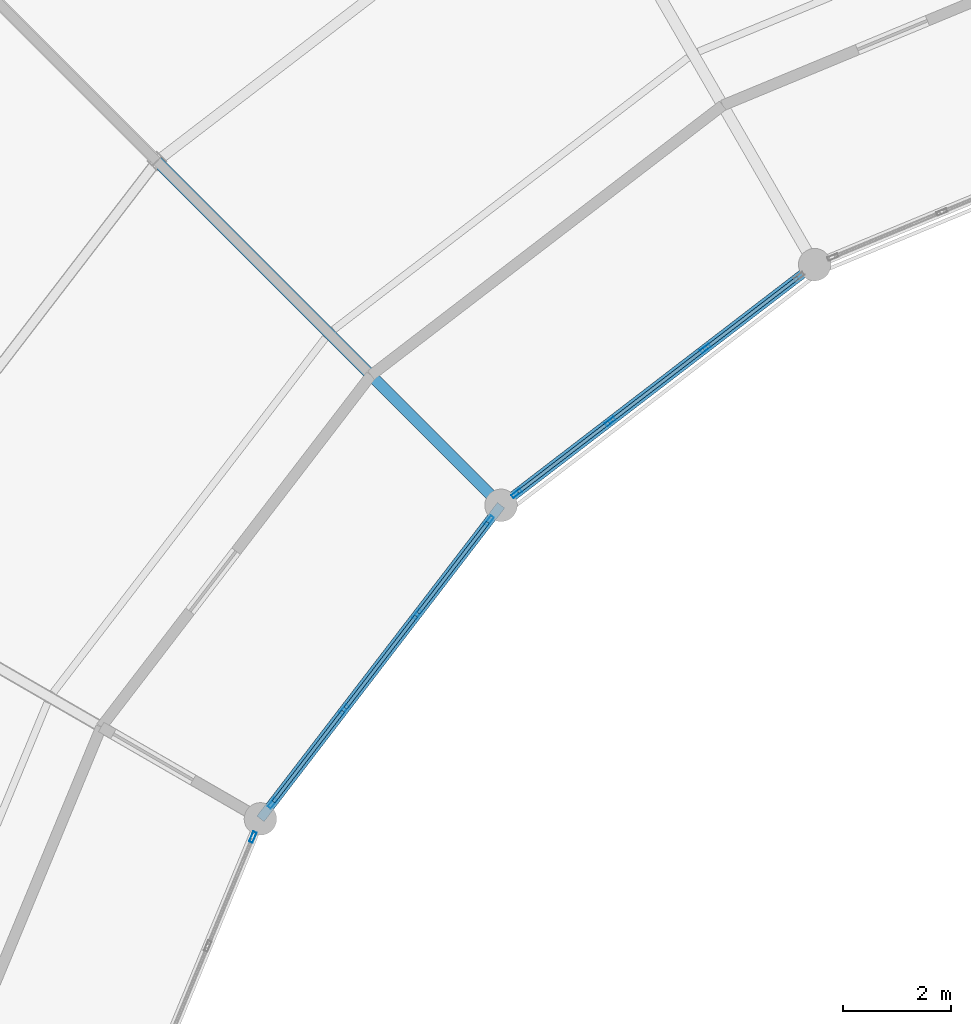
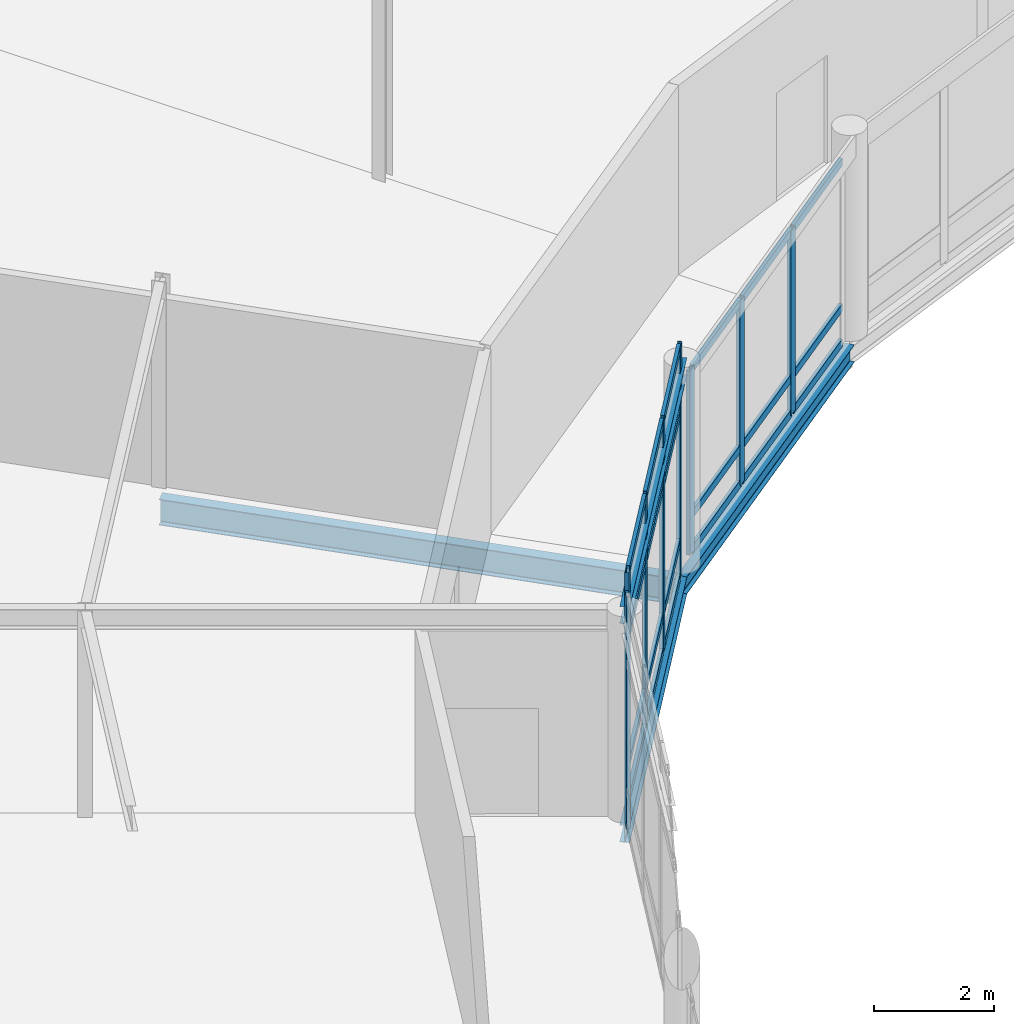
# One storey, part 85 of 200: 29 members, 4 beams, 3 elements without a shape of their own.
"""IFC4 building model written with IfcOpenShell, lengths in metres."""

from ifc_helpers import new_model, si_unit, direction, frame, origin, origin_2d, place, context, subcontext, project, spatial, hollow_rectangle, i_section, extrude, material, material_profile, profile_set, type_object, element, aggregate, save


model = new_model("IFC4")

# Units and contexts
model_context = context("Model", 3, precision=1e-05, world=origin(), true_north=direction((0.0, 1.0)))
body_context = subcontext(model_context, "Body", "Model", "MODEL_VIEW")
ifc_project = project(units=[si_unit("LENGTHUNIT", "METRE"), si_unit("AREAUNIT", "SQUARE_METRE"), si_unit("VOLUMEUNIT", "CUBIC_METRE"), si_unit("PLANEANGLEUNIT", "RADIAN"), si_unit("MASSUNIT", "GRAM", prefix="KILO")], contexts=[model_context])

# Site, building, storey
site_placement = place(None, origin())
site = spatial("IfcSite", under=ifc_project, at=site_placement, CompositionType="ELEMENT")
building_placement = place(site_placement, origin())
building = spatial("IfcBuilding", under=site, at=building_placement, Name="Vondelvale Polytechnic", CompositionType="ELEMENT")
storey_placement = place(building_placement, frame((0.0, 0.0, 13.800048828125)))
storey = spatial("IfcBuildingStorey", under=building, at=storey_placement, Name="L03", CompositionType="ELEMENT", Elevation=13.800048828125)

# Beams
ifc_material_1 = material(Name="Steel 300PLUS (fy = 300 MPa)", Category="steel")
ifc_material_profile_1 = material_profile(ifc_material_1, i_section(OverallWidth=0.1708984375, OverallDepth=0.35205078125, WebThickness=0.0068359375, FlangeThickness=0.009765625, FilletRadius=0.011474609375, at=origin_2d()), Name="360UB44.7")
ifc_profile_set_1 = profile_set([ifc_material_profile_1], Name="Steel 300PLUS (fy = 300 MPa)")
beam_type_1 = type_object("IfcBeamType", Name="BM-UB360L", PredefinedType="BEAM", material=ifc_profile_set_1)
for number, where, z_axis, x_axis, name in (
    (1, (88.0, 96.248779296875, -0.426025390625), (-0.793358469083, -0.608754744979, 0.0), (0.608754744979, -0.793358469083, 0.0), "L03 RB B-24"),
    (2, (82.200927734375, 91.799072265625, -0.426025390625), (-0.608754744979, -0.793358469083, 0.0), (0.793358469083, -0.608754744979, 0.0), "L03 RB B-24"),
    (3, (82.200927734375, 91.799072265625, 4.02392578125), (-0.608754744979, -0.793358469083, 0.0), (0.793358469083, -0.608754744979, 0.0), "L03 RE B-24"),
):
    element("IfcBeam", number, at=place(storey_placement, frame(where, z_axis=z_axis, x_axis=x_axis)), inside=storey, type_object=beam_type_1, Name=name, PredefinedType="BEAM", context=body_context, shape_type="SweptSolid", body=[
        extrude(i_section(OverallWidth=0.1708984375, OverallDepth=0.35205078125, WebThickness=0.0068359375, FlangeThickness=0.009765625, FilletRadius=0.011474609375, at=origin_2d()), origin(), (0.0, 0.0, 1.0), 7.3095703125),
    ])
ifc_material_profile_2 = material_profile(ifc_material_1, i_section(OverallWidth=0.208984375, OverallDepth=0.528076171875, WebThickness=0.009521484375, FlangeThickness=0.01318359375, FilletRadius=0.013916015625, at=origin_2d()), Name="530UB82.0")
ifc_profile_set_2 = profile_set([ifc_material_profile_2], Name="Steel 300PLUS (fy = 300 MPa)")
beam_type_2 = type_object("IfcBeamType", Name="BM-UB530L", PredefinedType="BEAM", material=ifc_profile_set_2)
beam_placement = place(storey_placement, frame((82.200927734375, 91.799072265625, -0.51416015625), z_axis=(-0.707106781187, 0.707106781187, 0.0), x_axis=(-0.707106781187, -0.707106781187, 0.0)))
element("IfcBeam", 4, at=beam_placement, inside=storey, type_object=beam_type_2, Name="L03 RG B-21", PredefinedType="BEAM", context=body_context, shape_type="SweptSolid", body=[
    extrude(i_section(OverallWidth=0.208984375, OverallDepth=0.528076171875, WebThickness=0.009521484375, FlangeThickness=0.01318359375, FilletRadius=0.013916015625, at=origin_2d()), origin(), (0.0, 0.0, 1.0), 9.0),
])

# Curtain wall, members
ifc_material_2 = material(Name="Anodised extruded aluminium 6063-T6", Category="aluminium")
curtain_wall_type = type_object("IfcCurtainWallType", Name="CW-RING-CLOISTER", PredefinedType="NOTDEFINED", material=ifc_material_2)
curtain_wall_1_placement = place(storey_placement, origin())
curtain_wall_1 = element("IfcCurtainWall", 5, at=curtain_wall_1_placement, inside=storey, type_object=curtain_wall_type, Name="L03 architectural curtain wall CW-03-202", PredefinedType="NOTDEFINED")
ifc_material_profile_3 = material_profile(ifc_material_2, hollow_rectangle(XDim=0.070068359375, YDim=0.199951171875, WallThickness=0.00390625, at=origin_2d()), Name="CW-MUL-200x70")
ifc_profile_set_3 = profile_set([ifc_material_profile_3], Name="Anodised extruded aluminium 6063-T6")
member_type_1 = type_object("IfcMemberType", Name="CW-MUL-70x200", PredefinedType="MULLION", material=ifc_profile_set_3)
member_1_placement = place(storey_placement, frame((85.97998046875, 94.69873046875, 0.0), z_axis=(0.0, 0.0, 1.0), x_axis=(0.608747717793, -0.793363861089, 0.0)))
member_1 = element("IfcMember", 6, at=member_1_placement, type_object=member_type_1, Name="CW-03-202 mullion 2", PredefinedType="MULLION", context=body_context, shape_type="SweptSolid", body=[
    extrude(hollow_rectangle(XDim=0.070068359375, YDim=0.199951171875, WallThickness=0.00390625, at=origin_2d()), origin(), (0.0, 0.0, 1.0), 3.75),
])
member_2_placement = place(storey_placement, frame((84.220947265625, 93.348876953125, 0.0), z_axis=(0.0, 0.0, 1.0), x_axis=(0.608747717793, -0.793363861089, 0.0)))
member_2 = element("IfcMember", 7, at=member_2_placement, type_object=member_type_1, Name="CW-03-202 mullion 3", PredefinedType="MULLION", context=body_context, shape_type="SweptSolid", body=[
    extrude(hollow_rectangle(XDim=0.070068359375, YDim=0.199951171875, WallThickness=0.00390625, at=origin_2d()), origin(), (0.0, 0.0, 1.0), 3.75),
])
member_3_placement = place(storey_placement, frame((82.489501953125, 92.0205078125, 0.0), z_axis=(0.0, 0.0, 1.0), x_axis=(0.608747717793, -0.793363861089, 0.0)))
member_3 = element("IfcMember", 8, at=member_3_placement, type_object=member_type_1, Name="CW-03-202 mullion 4", PredefinedType="MULLION", context=body_context, shape_type="SweptSolid", body=[
    extrude(hollow_rectangle(XDim=0.070068359375, YDim=0.199951171875, WallThickness=0.00390625, at=origin_2d()), origin(), (0.0, 0.0, 1.0), 3.75),
])

curtain_wall_2_placement = place(storey_placement, origin())
curtain_wall_2 = element("IfcCurtainWall", 9, at=curtain_wall_2_placement, inside=storey, type_object=curtain_wall_type, Name="L03 architectural curtain wall CW-03-221", PredefinedType="NOTDEFINED")
member_4_placement = place(storey_placement, frame((81.9794921875, 91.510498046875, 0.0), z_axis=(0.0, 0.0, 1.0), x_axis=(0.793363861089, -0.608747717793, 0.0)))
member_4 = element("IfcMember", 10, at=member_4_placement, type_object=member_type_1, Name="CW-03-221 mullion 1", PredefinedType="MULLION", context=body_context, shape_type="SweptSolid", body=[
    extrude(hollow_rectangle(XDim=0.070068359375, YDim=0.199951171875, WallThickness=0.00390625, at=origin_2d()), origin(), (0.0, 0.0, 1.0), 4.713134765625),
])
member_5_placement = place(storey_placement, frame((80.651123046875, 89.779052734375, 0.0), z_axis=(0.0, 0.0, 1.0), x_axis=(0.793363861089, -0.608747717793, 0.0)))
member_5 = element("IfcMember", 11, at=member_5_placement, type_object=member_type_1, Name="CW-03-221 mullion 2", PredefinedType="MULLION", context=body_context, shape_type="SweptSolid", body=[
    extrude(hollow_rectangle(XDim=0.070068359375, YDim=0.199951171875, WallThickness=0.00390625, at=origin_2d()), origin(), (0.0, 0.0, 1.0), 4.713134765625),
])
member_6_placement = place(storey_placement, frame((79.30126953125, 88.02001953125, 0.0), z_axis=(0.0, 0.0, 1.0), x_axis=(0.793363861089, -0.608747717793, 0.0)))
member_6 = element("IfcMember", 12, at=member_6_placement, type_object=member_type_1, Name="CW-03-221 mullion 3", PredefinedType="MULLION", context=body_context, shape_type="SweptSolid", body=[
    extrude(hollow_rectangle(XDim=0.070068359375, YDim=0.199951171875, WallThickness=0.00390625, at=origin_2d()), origin(), (0.0, 0.0, 1.0), 4.713134765625),
])
member_7_placement = place(storey_placement, frame((77.97265625, 86.28857421875, 0.0), z_axis=(0.0, 0.0, 1.0), x_axis=(0.793363861089, -0.608747717793, 0.0)))
member_7 = element("IfcMember", 13, at=member_7_placement, type_object=member_type_1, Name="CW-03-221 mullion 4", PredefinedType="MULLION", context=body_context, shape_type="SweptSolid", body=[
    extrude(hollow_rectangle(XDim=0.070068359375, YDim=0.199951171875, WallThickness=0.00390625, at=origin_2d()), origin(), (0.0, 0.0, 1.0), 4.713134765625),
])

# Curtain wall, member
curtain_wall_3_placement = place(storey_placement, origin())
curtain_wall_3 = element("IfcCurtainWall", 14, at=curtain_wall_3_placement, inside=storey, type_object=curtain_wall_type, Name="L03 architectural curtain wall CW-03-237", PredefinedType="NOTDEFINED")
member_8_placement = place(storey_placement, frame((77.611572265625, 85.662841796875, 0.0), z_axis=(0.0, 0.0, 1.0), x_axis=(0.923881562419, -0.382678531697, 0.0)))
member_8 = element("IfcMember", 15, at=member_8_placement, type_object=member_type_1, Name="CW-03-237 mullion 1", PredefinedType="MULLION", context=body_context, shape_type="SweptSolid", body=[
    extrude(hollow_rectangle(XDim=0.070068359375, YDim=0.199951171875, WallThickness=0.00390625, at=origin_2d()), origin(), (0.0, 0.0, 1.0), 4.713134765625),
])
aggregate(curtain_wall_3, [member_8])

# Member
ifc_material_profile_4 = material_profile(ifc_material_2, hollow_rectangle(XDim=0.06494140625, YDim=0.159912109375, WallThickness=0.00341796875, at=origin_2d()), Name="CW-TRN-160x65")
ifc_profile_set_4 = profile_set([ifc_material_profile_4], Name="Anodised extruded aluminium 6063-T6")
member_type_2 = type_object("IfcMemberType", Name="CW-TRN-70x160", PredefinedType="USERDEFINED", material=ifc_profile_set_4)
member_9_placement = place(storey_placement, frame((87.683837890625, 96.006103515625, 0.032470703125), z_axis=(-0.793336583571, -0.608783266169, 0.0), x_axis=(0.608783266169, -0.793336583571, 0.0)))
member_9 = element("IfcMember", 16, at=member_9_placement, type_object=member_type_2, Name="CW-03-202 transom 1.1", ObjectType="TRANSOM", PredefinedType="USERDEFINED", context=body_context, shape_type="SweptSolid", body=[
    extrude(hollow_rectangle(XDim=0.06494140625, YDim=0.159912109375, WallThickness=0.00341796875, at=origin_2d()), origin(), (0.0, 0.0, 1.0), 2.112548828125),
])

member_10_placement = place(storey_placement, frame((87.683837890625, 96.006103515625, 0.75), z_axis=(-0.793336583571, -0.608783266169, 0.0), x_axis=(0.608783266169, -0.793336583571, 0.0)))
member_10 = element("IfcMember", 17, at=member_10_placement, type_object=member_type_2, Name="CW-03-202 transom 1.2", ObjectType="TRANSOM", PredefinedType="USERDEFINED", context=body_context, shape_type="SweptSolid", body=[
    extrude(hollow_rectangle(XDim=0.06494140625, YDim=0.159912109375, WallThickness=0.00341796875, at=origin_2d()), origin(), (0.0, 0.0, 1.0), 2.112548828125),
])

member_11_placement = place(storey_placement, frame((87.683837890625, 96.006103515625, 3.717529296875), z_axis=(-0.793336583571, -0.608783266169, 0.0), x_axis=(0.608783266169, -0.793336583571, 0.0)))
member_11 = element("IfcMember", 18, at=member_11_placement, type_object=member_type_2, Name="CW-03-202 transom 1.3", ObjectType="TRANSOM", PredefinedType="USERDEFINED", context=body_context, shape_type="SweptSolid", body=[
    extrude(hollow_rectangle(XDim=0.06494140625, YDim=0.159912109375, WallThickness=0.00341796875, at=origin_2d()), origin(), (0.0, 0.0, 1.0), 2.112548828125),
])

member_12_placement = place(storey_placement, frame((85.952392578125, 94.677490234375, 0.032470703125), z_axis=(-0.793375728306, -0.608732251269, 0.0), x_axis=(0.608732251269, -0.793375728306, 0.0)))
member_12 = element("IfcMember", 19, at=member_12_placement, type_object=member_type_2, Name="CW-03-202 transom 2.1", ObjectType="TRANSOM", PredefinedType="USERDEFINED", context=body_context, shape_type="SweptSolid", body=[
    extrude(hollow_rectangle(XDim=0.06494140625, YDim=0.159912109375, WallThickness=0.00341796875, at=origin_2d()), origin(), (0.0, 0.0, 1.0), 2.147216796875),
])

member_13_placement = place(storey_placement, frame((85.952392578125, 94.677490234375, 0.75), z_axis=(-0.793375728306, -0.608732251269, 0.0), x_axis=(0.608732251269, -0.793375728306, 0.0)))
member_13 = element("IfcMember", 20, at=member_13_placement, type_object=member_type_2, Name="CW-03-202 transom 2.2", ObjectType="TRANSOM", PredefinedType="USERDEFINED", context=body_context, shape_type="SweptSolid", body=[
    extrude(hollow_rectangle(XDim=0.06494140625, YDim=0.159912109375, WallThickness=0.00341796875, at=origin_2d()), origin(), (0.0, 0.0, 1.0), 2.147216796875),
])

member_14_placement = place(storey_placement, frame((85.952392578125, 94.677490234375, 3.717529296875), z_axis=(-0.793375728306, -0.608732251269, 0.0), x_axis=(0.608732251269, -0.793375728306, 0.0)))
member_14 = element("IfcMember", 21, at=member_14_placement, type_object=member_type_2, Name="CW-03-202 transom 2.3", ObjectType="TRANSOM", PredefinedType="USERDEFINED", context=body_context, shape_type="SweptSolid", body=[
    extrude(hollow_rectangle(XDim=0.06494140625, YDim=0.159912109375, WallThickness=0.00341796875, at=origin_2d()), origin(), (0.0, 0.0, 1.0), 2.147216796875),
])

member_15_placement = place(storey_placement, frame((84.193115234375, 93.32763671875, 0.032470703125), z_axis=(-0.793349569285, -0.608766343448, 0.0), x_axis=(0.608766343448, -0.793349569285, 0.0)))
member_15 = element("IfcMember", 22, at=member_15_placement, type_object=member_type_2, Name="CW-03-202 transom 3.1", ObjectType="TRANSOM", PredefinedType="USERDEFINED", context=body_context, shape_type="SweptSolid", body=[
    extrude(hollow_rectangle(XDim=0.06494140625, YDim=0.159912109375, WallThickness=0.00341796875, at=origin_2d()), origin(), (0.0, 0.0, 1.0), 2.1123046875),
])

member_16_placement = place(storey_placement, frame((84.193115234375, 93.32763671875, 0.75), z_axis=(-0.793349569285, -0.608766343448, 0.0), x_axis=(0.608766343448, -0.793349569285, 0.0)))
member_16 = element("IfcMember", 23, at=member_16_placement, type_object=member_type_2, Name="CW-03-202 transom 3.2", ObjectType="TRANSOM", PredefinedType="USERDEFINED", context=body_context, shape_type="SweptSolid", body=[
    extrude(hollow_rectangle(XDim=0.06494140625, YDim=0.159912109375, WallThickness=0.00341796875, at=origin_2d()), origin(), (0.0, 0.0, 1.0), 2.1123046875),
])

member_17_placement = place(storey_placement, frame((84.193115234375, 93.32763671875, 3.717529296875), z_axis=(-0.793349569285, -0.608766343448, 0.0), x_axis=(0.608766343448, -0.793349569285, 0.0)))
member_17 = element("IfcMember", 24, at=member_17_placement, type_object=member_type_2, Name="CW-03-202 transom 3.3", ObjectType="TRANSOM", PredefinedType="USERDEFINED", context=body_context, shape_type="SweptSolid", body=[
    extrude(hollow_rectangle(XDim=0.06494140625, YDim=0.159912109375, WallThickness=0.00341796875, at=origin_2d()), origin(), (0.0, 0.0, 1.0), 2.1123046875),
])

aggregate(curtain_wall_1, [member_1, member_2, member_3, member_9, member_10, member_11, member_12, member_13, member_14, member_15, member_16, member_17])

member_18_placement = place(storey_placement, frame((81.958251953125, 91.482666015625, 0.032470703125), z_axis=(-0.608766343448, -0.793349569285, 0.0), x_axis=(0.793349569285, -0.608766343448, 0.0)))
member_18 = element("IfcMember", 25, at=member_18_placement, type_object=member_type_2, Name="CW-03-221 transom 1.1", ObjectType="TRANSOM", PredefinedType="USERDEFINED", context=body_context, shape_type="SweptSolid", body=[
    extrude(hollow_rectangle(XDim=0.06494140625, YDim=0.159912109375, WallThickness=0.00341796875, at=origin_2d()), origin(), (0.0, 0.0, 1.0), 2.1123046875),
])

member_19_placement = place(storey_placement, frame((81.958251953125, 91.482666015625, 0.75), z_axis=(-0.608766343448, -0.793349569285, 0.0), x_axis=(0.793349569285, -0.608766343448, 0.0)))
member_19 = element("IfcMember", 26, at=member_19_placement, type_object=member_type_2, Name="CW-03-221 transom 1.2", ObjectType="TRANSOM", PredefinedType="USERDEFINED", context=body_context, shape_type="SweptSolid", body=[
    extrude(hollow_rectangle(XDim=0.06494140625, YDim=0.159912109375, WallThickness=0.00341796875, at=origin_2d()), origin(), (0.0, 0.0, 1.0), 2.1123046875),
])

member_20_placement = place(storey_placement, frame((81.958251953125, 91.482666015625, 3.363037109375), z_axis=(-0.608766343448, -0.793349569285, 0.0), x_axis=(0.793349569285, -0.608766343448, 0.0)))
member_20 = element("IfcMember", 27, at=member_20_placement, type_object=member_type_2, Name="CW-03-221 transom 1.3", ObjectType="TRANSOM", PredefinedType="USERDEFINED", context=body_context, shape_type="SweptSolid", body=[
    extrude(hollow_rectangle(XDim=0.06494140625, YDim=0.159912109375, WallThickness=0.00341796875, at=origin_2d()), origin(), (0.0, 0.0, 1.0), 2.1123046875),
])

member_21_placement = place(storey_placement, frame((81.958251953125, 91.482666015625, 4.6806640625), z_axis=(-0.608766343448, -0.793349569285, 0.0), x_axis=(0.793349569285, -0.608766343448, 0.0)))
member_21 = element("IfcMember", 28, at=member_21_placement, type_object=member_type_2, Name="CW-03-221 transom 1.4", ObjectType="TRANSOM", PredefinedType="USERDEFINED", context=body_context, shape_type="SweptSolid", body=[
    extrude(hollow_rectangle(XDim=0.06494140625, YDim=0.159912109375, WallThickness=0.00341796875, at=origin_2d()), origin(), (0.0, 0.0, 1.0), 2.1123046875),
])

member_22_placement = place(storey_placement, frame((80.629638671875, 89.751220703125, 0.032470703125), z_axis=(-0.608732251269, -0.793375728306, 0.0), x_axis=(0.793375728306, -0.608732251269, 0.0)))
member_22 = element("IfcMember", 29, at=member_22_placement, type_object=member_type_2, Name="CW-03-221 transom 2.1", ObjectType="TRANSOM", PredefinedType="USERDEFINED", context=body_context, shape_type="SweptSolid", body=[
    extrude(hollow_rectangle(XDim=0.06494140625, YDim=0.159912109375, WallThickness=0.00341796875, at=origin_2d()), origin(), (0.0, 0.0, 1.0), 2.147216796875),
])

member_23_placement = place(storey_placement, frame((80.629638671875, 89.751220703125, 0.75), z_axis=(-0.608732251269, -0.793375728306, 0.0), x_axis=(0.793375728306, -0.608732251269, 0.0)))
member_23 = element("IfcMember", 30, at=member_23_placement, type_object=member_type_2, Name="CW-03-221 transom 2.2", ObjectType="TRANSOM", PredefinedType="USERDEFINED", context=body_context, shape_type="SweptSolid", body=[
    extrude(hollow_rectangle(XDim=0.06494140625, YDim=0.159912109375, WallThickness=0.00341796875, at=origin_2d()), origin(), (0.0, 0.0, 1.0), 2.147216796875),
])

member_24_placement = place(storey_placement, frame((80.629638671875, 89.751220703125, 3.363037109375), z_axis=(-0.608732251269, -0.793375728306, 0.0), x_axis=(0.793375728306, -0.608732251269, 0.0)))
member_24 = element("IfcMember", 31, at=member_24_placement, type_object=member_type_2, Name="CW-03-221 transom 2.3", ObjectType="TRANSOM", PredefinedType="USERDEFINED", context=body_context, shape_type="SweptSolid", body=[
    extrude(hollow_rectangle(XDim=0.06494140625, YDim=0.159912109375, WallThickness=0.00341796875, at=origin_2d()), origin(), (0.0, 0.0, 1.0), 2.147216796875),
])

member_25_placement = place(storey_placement, frame((80.629638671875, 89.751220703125, 4.6806640625), z_axis=(-0.608732251269, -0.793375728306, 0.0), x_axis=(0.793375728306, -0.608732251269, 0.0)))
member_25 = element("IfcMember", 32, at=member_25_placement, type_object=member_type_2, Name="CW-03-221 transom 2.4", ObjectType="TRANSOM", PredefinedType="USERDEFINED", context=body_context, shape_type="SweptSolid", body=[
    extrude(hollow_rectangle(XDim=0.06494140625, YDim=0.159912109375, WallThickness=0.00341796875, at=origin_2d()), origin(), (0.0, 0.0, 1.0), 2.147216796875),
])

member_26_placement = place(storey_placement, frame((79.280029296875, 87.9921875, 0.032470703125), z_axis=(-0.608783266169, -0.793336583571, 0.0), x_axis=(0.793336583571, -0.608783266169, 0.0)))
member_26 = element("IfcMember", 33, at=member_26_placement, type_object=member_type_2, Name="CW-03-221 transom 3.1", ObjectType="TRANSOM", PredefinedType="USERDEFINED", context=body_context, shape_type="SweptSolid", body=[
    extrude(hollow_rectangle(XDim=0.06494140625, YDim=0.159912109375, WallThickness=0.00341796875, at=origin_2d()), origin(), (0.0, 0.0, 1.0), 2.112548828125),
])

member_27_placement = place(storey_placement, frame((79.280029296875, 87.9921875, 0.75), z_axis=(-0.608783266169, -0.793336583571, 0.0), x_axis=(0.793336583571, -0.608783266169, 0.0)))
member_27 = element("IfcMember", 34, at=member_27_placement, type_object=member_type_2, Name="CW-03-221 transom 3.2", ObjectType="TRANSOM", PredefinedType="USERDEFINED", context=body_context, shape_type="SweptSolid", body=[
    extrude(hollow_rectangle(XDim=0.06494140625, YDim=0.159912109375, WallThickness=0.00341796875, at=origin_2d()), origin(), (0.0, 0.0, 1.0), 2.112548828125),
])

member_28_placement = place(storey_placement, frame((79.280029296875, 87.9921875, 3.363037109375), z_axis=(-0.608783266169, -0.793336583571, 0.0), x_axis=(0.793336583571, -0.608783266169, 0.0)))
member_28 = element("IfcMember", 35, at=member_28_placement, type_object=member_type_2, Name="CW-03-221 transom 3.3", ObjectType="TRANSOM", PredefinedType="USERDEFINED", context=body_context, shape_type="SweptSolid", body=[
    extrude(hollow_rectangle(XDim=0.06494140625, YDim=0.159912109375, WallThickness=0.00341796875, at=origin_2d()), origin(), (0.0, 0.0, 1.0), 2.112548828125),
])

member_29_placement = place(storey_placement, frame((79.280029296875, 87.9921875, 4.6806640625), z_axis=(-0.608783266169, -0.793336583571, 0.0), x_axis=(0.793336583571, -0.608783266169, 0.0)))
member_29 = element("IfcMember", 36, at=member_29_placement, type_object=member_type_2, Name="CW-03-221 transom 3.4", ObjectType="TRANSOM", PredefinedType="USERDEFINED", context=body_context, shape_type="SweptSolid", body=[
    extrude(hollow_rectangle(XDim=0.06494140625, YDim=0.159912109375, WallThickness=0.00341796875, at=origin_2d()), origin(), (0.0, 0.0, 1.0), 2.112548828125),
])

aggregate(curtain_wall_2, [member_4, member_5, member_6, member_7, member_18, member_19, member_20, member_21, member_22, member_23, member_24, member_25, member_26, member_27, member_28, member_29])

save(model, "model.ifc")
